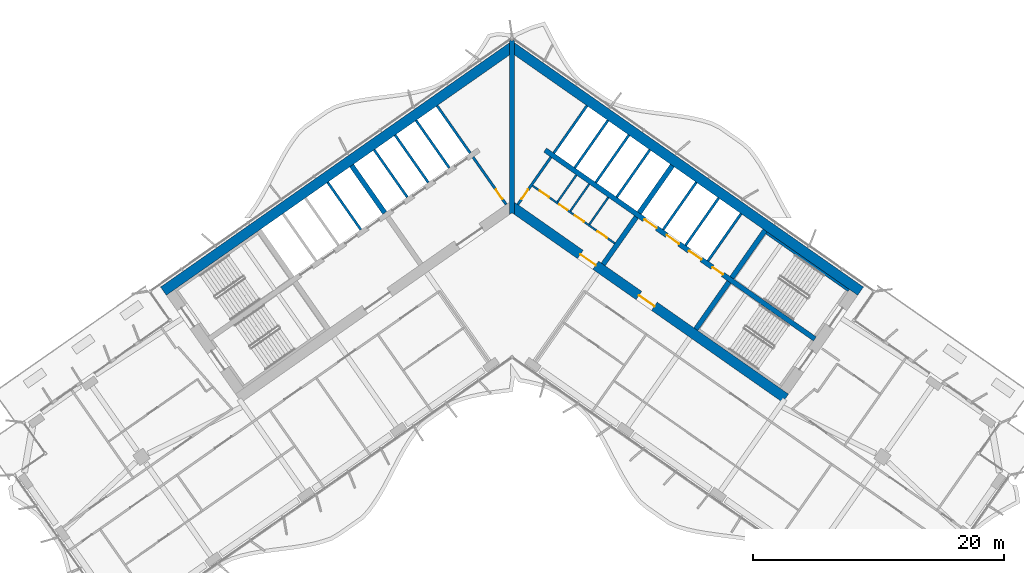
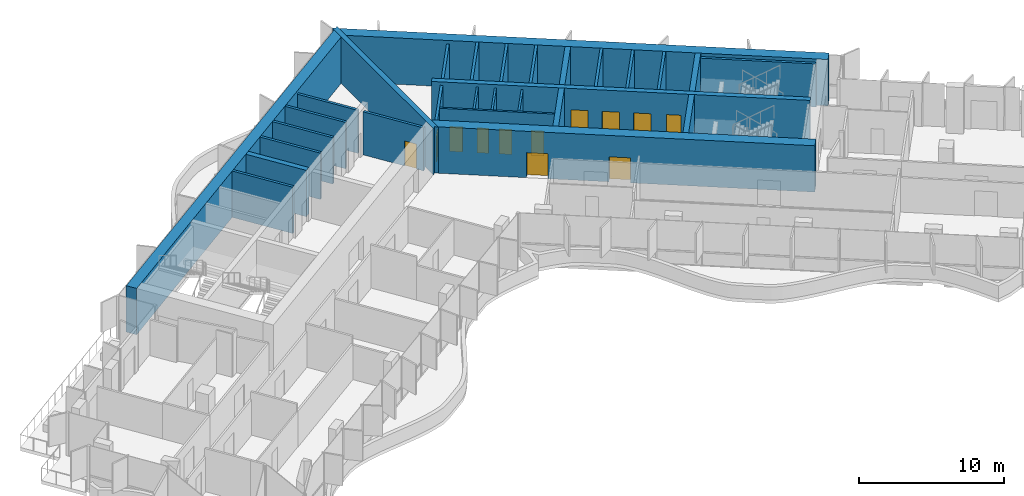
# One storey, part 15 of 24: 29 walls, 12 doors, 12 openings.
"""IFC4 building model written with IfcOpenShell, lengths in metres."""

from ifc_helpers import new_model, si_unit, direction, frame, frame_2d, origin, place, context, subcontext, project, spatial, polyline, rectangle, outline, extrude, material, layer, layer_set, type_object, element, fill, save


model = new_model("IFC4")

# Units and contexts
model_context = context("Model", 3, precision=1e-05, world=origin(), true_north=direction((0.0, 1.0)))
body_context = subcontext(model_context, "Body", "Model", "MODEL_VIEW")
ifc_project = project(units=[si_unit("LENGTHUNIT", "METRE"), si_unit("AREAUNIT", "SQUARE_METRE"), si_unit("VOLUMEUNIT", "CUBIC_METRE"), si_unit("PLANEANGLEUNIT", "RADIAN"), si_unit("MASSUNIT", "GRAM", prefix="KILO")], contexts=[model_context])

# Site, building, storey
site_placement = place(None, origin())
site = spatial("IfcSite", under=ifc_project, at=site_placement, CompositionType="ELEMENT")
building_placement = place(site_placement, origin())
building = spatial("IfcBuilding", under=site, at=building_placement, Name="Tel Ilan Convention Tower", CompositionType="ELEMENT")
storey_placement = place(building_placement, frame((0.0, 0.0, 132.0)))
storey = spatial("IfcBuildingStorey", under=building, at=storey_placement, Name="L29", CompositionType="ELEMENT", Elevation=132.0)

# Wall, openings, doors
ifc_material_1 = material(Name="Gypsum Plasterboard on Steel Stud", Category="steel")
ifc_layer_1 = layer(ifc_material_1, 0.14990234375)
ifc_layer_set_1 = layer_set([ifc_layer_1], Name="Core Room Partition Wall 150 mm EI 60")
wall_type_1 = type_object("IfcWallType", Name="Core Room Partition Wall 150 mm EI 60", PredefinedType="PARTITIONING", material=ifc_layer_set_1)
wall_1_placement = place(storey_placement, frame((1.63037109375, 0.93359375, 0.0), z_axis=(0.0, 0.0, 1.0), x_axis=(0.819165963305, -0.573556557423, 0.0)))
wall_1 = element("IfcWall", 1, at=wall_1_placement, inside=storey, type_object=wall_type_1, Name="L29 core wall wc-h1", PredefinedType="PARTITIONING", context=body_context, shape_type="SweptSolid", body=[
    extrude(rectangle(XDim=7.999755859375, YDim=0.14990234375, at=frame_2d((4.0, 0.0))), origin(), (0.0, 0.0, 1.0), 3.6201171875),
])
opening_1_placement = place(wall_1_placement, frame((0.699951171875, 0.0, 0.0)))
opening_1 = element("IfcOpeningElement", 2, at=opening_1_placement, cuts=wall_1, Name="Opening CD2310", PredefinedType="OPENING", context=body_context, shape_type="SweptSolid", body=[
    extrude(rectangle(XDim=0.89990234375, YDim=2.10009765625, at=frame_2d((0.449951171875, 1.050048828125))), frame((0.0, 0.0849609375, 0.0), z_axis=(0.0, -1.0, 0.0), x_axis=(1.0, 0.0, 0.0)), (0.0, 0.0, 1.0), 0.169921875),
])
opening_2_placement = place(wall_1_placement, frame((2.60009765625, 0.0, 0.0)))
opening_2 = element("IfcOpeningElement", 3, at=opening_2_placement, cuts=wall_1, Name="Opening CD2309", PredefinedType="OPENING", context=body_context, shape_type="SweptSolid", body=[
    extrude(rectangle(XDim=0.800048828125, YDim=2.10009765625, at=frame_2d((0.39990234375, 1.050048828125))), frame((0.0, 0.0849609375, 0.0), z_axis=(0.0, -1.0, 0.0), x_axis=(1.0, 0.0, 0.0)), (0.0, 0.0, 1.0), 0.169921875),
])
opening_3_placement = place(wall_1_placement, frame((4.10009765625, 0.0, 0.0)))
opening_3 = element("IfcOpeningElement", 4, at=opening_3_placement, cuts=wall_1, Name="Opening CD2308", PredefinedType="OPENING", context=body_context, shape_type="SweptSolid", body=[
    extrude(rectangle(XDim=0.89990234375, YDim=2.10009765625, at=frame_2d((0.449951171875, 1.050048828125))), frame((0.0, 0.0849609375, 0.0), z_axis=(0.0, -1.0, 0.0), x_axis=(1.0, 0.0, 0.0)), (0.0, 0.0, 1.0), 0.169921875),
])
opening_4_placement = place(wall_1_placement, frame((6.324951171875, 0.0, 0.0)))
opening_4 = element("IfcOpeningElement", 5, at=opening_4_placement, cuts=wall_1, Name="Opening CD2311", PredefinedType="OPENING", context=body_context, shape_type="SweptSolid", body=[
    extrude(rectangle(XDim=0.89990234375, YDim=2.10009765625, at=frame_2d((0.449951171875, 1.050048828125))), frame((0.0, 0.0849609375, 0.0), z_axis=(0.0, -1.0, 0.0), x_axis=(1.0, 0.0, 0.0)), (0.0, 0.0, 1.0), 0.169921875),
])
ifc_material_2 = material(Name="Galvanised Steel Door Leaf", Category="steel")
door_type_1 = type_object("IfcDoorType", Name="Store Door 800 x 2100 FD60", OperationType="NOTDEFINED", PredefinedType="DOOR", material=ifc_material_2)
door_1_placement = place(opening_2_placement, origin())
door_1 = element("IfcDoor", 6, at=door_1_placement, inside=storey, type_object=door_type_1, Name="Cleaner's store door", OperationType="SINGLE_SWING_RIGHT", OverallHeight=2.10009765625, OverallWidth=0.800048828125, PredefinedType="DOOR", context=body_context, shape_type="SweptSolid", body=[
    extrude(rectangle(XDim=0.800048828125, YDim=2.10009765625, at=frame_2d((0.39990234375, 1.050048828125))), frame((0.0, 0.02490234375, 0.0), z_axis=(0.0, -1.0, 0.0), x_axis=(1.0, 0.0, 0.0)), (0.0, 0.0, 1.0), 0.050048828125),
])
fill(opening_2, door_1)
ifc_material_3 = material(Name="Laminated Timber Door Leaf", Category="wood")
door_type_2 = type_object("IfcDoorType", Name="Toilet Door 900 x 2100 FD30S", OperationType="NOTDEFINED", PredefinedType="DOOR", material=ifc_material_3)
door_2_placement = place(opening_1_placement, origin())
door_2 = element("IfcDoor", 7, at=door_2_placement, inside=storey, type_object=door_type_2, Name="Men's WC door", OperationType="SINGLE_SWING_RIGHT", OverallHeight=2.10009765625, OverallWidth=0.89990234375, PredefinedType="DOOR", context=body_context, shape_type="SweptSolid", body=[
    extrude(rectangle(XDim=0.89990234375, YDim=2.10009765625, at=frame_2d((0.449951171875, 1.050048828125))), frame((0.0, 0.02490234375, 0.0), z_axis=(0.0, -1.0, 0.0), x_axis=(1.0, 0.0, 0.0)), (0.0, 0.0, 1.0), 0.050048828125),
])
fill(opening_1, door_2)
door_3_placement = place(opening_3_placement, origin())
door_3 = element("IfcDoor", 8, at=door_3_placement, inside=storey, type_object=door_type_2, Name="Accessible WC door", OperationType="SINGLE_SWING_RIGHT", OverallHeight=2.10009765625, OverallWidth=0.89990234375, PredefinedType="DOOR", context=body_context, shape_type="SweptSolid", body=[
    extrude(rectangle(XDim=0.89990234375, YDim=2.10009765625, at=frame_2d((0.449951171875, 1.050048828125))), frame((0.0, 0.02490234375, 0.0), z_axis=(0.0, -1.0, 0.0), x_axis=(1.0, 0.0, 0.0)), (0.0, 0.0, 1.0), 0.050048828125),
])
fill(opening_3, door_3)
door_4_placement = place(opening_4_placement, origin())
door_4 = element("IfcDoor", 9, at=door_4_placement, inside=storey, type_object=door_type_2, Name="Women's WC door", OperationType="SINGLE_SWING_RIGHT", OverallHeight=2.10009765625, OverallWidth=0.89990234375, PredefinedType="DOOR", context=body_context, shape_type="SweptSolid", body=[
    extrude(rectangle(XDim=0.89990234375, YDim=2.10009765625, at=frame_2d((0.449951171875, 1.050048828125))), frame((0.0, 0.02490234375, 0.0), z_axis=(0.0, -1.0, 0.0), x_axis=(1.0, 0.0, 0.0)), (0.0, 0.0, 1.0), 0.050048828125),
])
fill(opening_4, door_4)

# Walls
for number, where, z_axis, x_axis, name in (
    (10, (3.618896484375, -0.3671875, 0.0), (0.0, 0.0, 1.0), (0.573549726504, 0.819170746076, 0.0), "L29 core wall wc-v0"),
    (11, (4.642822265625, -1.083984375, 0.0), (0.0, 0.0, 1.0), (0.573593425114, 0.819140148367, 0.0), "L29 core wall wc-v1"),
    (12, (6.158203125, -2.145263671875, 0.0), (0.0, 0.0, 1.0), (0.573549726504, 0.819170746076, 0.0), "L29 core wall wc-v2"),
):
    element("IfcWall", number, at=place(storey_placement, frame(where, z_axis=z_axis, x_axis=x_axis)), inside=storey, type_object=wall_type_1, Name=name, PredefinedType="PARTITIONING", context=body_context, shape_type="SweptSolid", body=[
        extrude(rectangle(XDim=2.625, YDim=0.14990234375, at=frame_2d((1.3125, 0.0))), origin(), (0.0, 0.0, 1.0), 3.6201171875),
    ])

# Wall, opening, door
ifc_material_4 = material(Name="Concrete C30/37", Category="concrete")
ifc_layer_2 = layer(ifc_material_4, 0.199951171875)
ifc_layer_set_2 = layer_set([ifc_layer_2], Name="Core Service Room Wall 200 mm C30/37")
wall_type_2 = type_object("IfcWallType", Name="Core Service Room Wall 200 mm C30/37", PredefinedType="SOLIDWALL", material=ifc_layer_set_2)
wall_2_placement = place(storey_placement, frame((-0.458740234375, -0.565185546875, 0.0), z_axis=(0.0, 0.0, 1.0), x_axis=(-0.573576324356, 0.819152122709, 0.0)))
wall_2 = element("IfcWall", 13, at=wall_2_placement, inside=storey, type_object=wall_type_2, Name="L29 core wall apex-W", PredefinedType="SOLIDWALL", context=body_context, shape_type="SweptSolid", body=[
    extrude(rectangle(XDim=4.599853515625, YDim=0.199951171875, at=frame_2d((2.2998046875, 0.0))), origin(), (0.0, 0.0, 1.0), 3.6201171875),
])
opening_5_placement = place(wall_2_placement, frame((0.550048828125, 0.0, 0.0)))
opening_5 = element("IfcOpeningElement", 14, at=opening_5_placement, cuts=wall_2, Name="Opening CD2302", PredefinedType="OPENING", context=body_context, shape_type="SweptSolid", body=[
    extrude(rectangle(XDim=0.89990234375, YDim=2.10009765625, at=frame_2d((0.449951171875, 1.050048828125))), frame((0.0, 0.10986328125, 0.0), z_axis=(0.0, -1.0, 0.0), x_axis=(1.0, 0.0, 0.0)), (0.0, 0.0, 1.0), 0.219970703125),
])
ifc_material_5 = material(Name="Galvanised Steel Door Leaf", Category="steel")
door_type_3 = type_object("IfcDoorType", Name="Service Room Door 900 x 2100 FD60", OperationType="NOTDEFINED", PredefinedType="DOOR", material=ifc_material_5)
door_5_placement = place(opening_5_placement, origin())
door_5 = element("IfcDoor", 15, at=door_5_placement, inside=storey, type_object=door_type_3, Name="Riser Room door", OperationType="SINGLE_SWING_RIGHT", OverallHeight=2.10009765625, OverallWidth=0.89990234375, PredefinedType="DOOR", context=body_context, shape_type="SweptSolid", body=[
    extrude(rectangle(XDim=0.89990234375, YDim=2.10009765625, at=frame_2d((0.449951171875, 1.050048828125))), frame((0.0, 0.02490234375, 0.0), z_axis=(0.0, -1.0, 0.0), x_axis=(1.0, 0.0, 0.0)), (0.0, 0.0, 1.0), 0.050048828125),
])
fill(opening_5, door_5)

# Wall
wall_3_placement = place(storey_placement, frame((-3.32666015625, 3.530517578125, 0.0), z_axis=(0.0, 0.0, 1.0), x_axis=(-0.573576324356, 0.819152122709, 0.0)))
element("IfcWall", 16, at=wall_3_placement, inside=storey, type_object=wall_type_2, Name="L29 core wall apex-W-b", PredefinedType="SOLIDWALL", context=body_context, shape_type="SweptSolid", body=[
    extrude(rectangle(XDim=4.599853515625, YDim=0.199951171875, at=frame_2d((2.2998046875, 0.0))), origin(), (0.0, 0.0, 1.0), 3.6201171875),
])

# Wall, opening, door
wall_4_placement = place(storey_placement, frame((0.458740234375, -0.565185546875, 0.0), z_axis=(0.0, 0.0, 1.0), x_axis=(0.573576324356, 0.819152122709, 0.0)))
wall_4 = element("IfcWall", 17, at=wall_4_placement, inside=storey, type_object=wall_type_2, Name="L29 core wall apex-E", PredefinedType="SOLIDWALL", context=body_context, shape_type="SweptSolid", body=[
    extrude(rectangle(XDim=4.599853515625, YDim=0.199951171875, at=frame_2d((2.2998046875, 0.0))), origin(), (0.0, 0.0, 1.0), 3.6201171875),
])
opening_6_placement = place(wall_4_placement, frame((0.550048828125, 0.0, 0.0)))
opening_6 = element("IfcOpeningElement", 18, at=opening_6_placement, cuts=wall_4, Name="Opening CD2301", PredefinedType="OPENING", context=body_context, shape_type="SweptSolid", body=[
    extrude(rectangle(XDim=0.89990234375, YDim=2.10009765625, at=frame_2d((0.449951171875, 1.050048828125))), frame((0.0, 0.10986328125, 0.0), z_axis=(0.0, -1.0, 0.0), x_axis=(1.0, 0.0, 0.0)), (0.0, 0.0, 1.0), 0.219970703125),
])
door_6_placement = place(opening_6_placement, origin())
door_6 = element("IfcDoor", 19, at=door_6_placement, inside=storey, type_object=door_type_3, Name="Electrical Room door", OperationType="SINGLE_SWING_RIGHT", OverallHeight=2.10009765625, OverallWidth=0.89990234375, PredefinedType="DOOR", context=body_context, shape_type="SweptSolid", body=[
    extrude(rectangle(XDim=0.89990234375, YDim=2.10009765625, at=frame_2d((0.449951171875, 1.050048828125))), frame((0.0, 0.02490234375, 0.0), z_axis=(0.0, -1.0, 0.0), x_axis=(1.0, 0.0, 0.0)), (0.0, 0.0, 1.0), 0.050048828125),
])
fill(opening_6, door_6)

# Walls
wall_5_placement = place(storey_placement, frame((3.32666015625, 3.530517578125, 0.0), z_axis=(0.0, 0.0, 1.0), x_axis=(0.573576324356, 0.819152122709, 0.0)))
element("IfcWall", 20, at=wall_5_placement, inside=storey, type_object=wall_type_2, Name="L29 core wall apex-E-b", PredefinedType="SOLIDWALL", context=body_context, shape_type="SweptSolid", body=[
    extrude(rectangle(XDim=4.599853515625, YDim=0.199951171875, at=frame_2d((2.2998046875, 0.0))), origin(), (0.0, 0.0, 1.0), 3.6201171875),
])
ifc_material_6 = material(Name="Concrete C50/60", Category="concrete")
ifc_layer_3 = layer(ifc_material_6, 0.39990234375)
ifc_layer_set_3 = layer_set([ifc_layer_3], Name="Core Shear Wall 400 mm C50/60")
wall_type_3 = type_object("IfcWallType", Name="Core Shear Wall 400 mm C50/60", PredefinedType="SHEAR", material=ifc_layer_set_3)
wall_6_placement = place(storey_placement, frame((-10.12548828125, -1.230224609375, 0.0), z_axis=(0.0, 0.0, 1.0), x_axis=(-0.573576324356, 0.819152122709, 0.0)))
element("IfcWall", 21, at=wall_6_placement, inside=storey, type_object=wall_type_3, Name="L29 core wall W-cross1-2", PredefinedType="SHEAR", context=body_context, shape_type="SweptSolid", body=[
    extrude(outline(polyline([(4.60009765625, -0.199951171875), (4.599853515625, 0.199951171875), (0.0, 0.2001953125), (0.0, -0.199951171875), (4.60009765625, -0.199951171875)])), origin(), (0.0, 0.0, 1.0), 3.89990234375),
])
wall_7_placement = place(storey_placement, frame((7.2578125, -5.325927734375, 0.0), z_axis=(0.0, 0.0, 1.0), x_axis=(0.573540709186, 0.819177059558, 0.0)))
element("IfcWall", 22, at=wall_7_placement, inside=storey, type_object=wall_type_3, Name="L29 core wall E-cross1-1", PredefinedType="SHEAR", context=body_context, shape_type="SweptSolid", body=[
    extrude(outline(polyline([(-0.000244140625, 0.2001953125), (-0.000244140625, -0.199951171875), (4.599853515625, -0.2001953125), (4.599853515625, 0.199951171875), (-0.000244140625, 0.2001953125)])), origin(), (0.0, 0.0, 1.0), 3.89990234375),
])
wall_8_placement = place(storey_placement, frame((10.12548828125, -1.230224609375, 0.0), z_axis=(0.0, 0.0, 1.0), x_axis=(0.573576324356, 0.819152122709, 0.0)))
element("IfcWall", 23, at=wall_8_placement, inside=storey, type_object=wall_type_3, Name="L29 core wall E-cross1-2", PredefinedType="SHEAR", context=body_context, shape_type="SweptSolid", body=[
    extrude(outline(polyline([(4.599853515625, -0.199951171875), (4.60009765625, 0.199951171875), (0.0, 0.199951171875), (0.0, -0.2001953125), (4.599853515625, -0.199951171875)])), origin(), (0.0, 0.0, 1.0), 3.89990234375),
])
wall_9_placement = place(storey_placement, frame((14.6298828125, -10.48828125, 0.0), z_axis=(0.0, 0.0, 1.0), x_axis=(0.573611936273, 0.819127185829, 0.0)))
element("IfcWall", 24, at=wall_9_placement, inside=storey, type_object=wall_type_3, Name="L29 core wall E-cross2-1", PredefinedType="SHEAR", context=body_context, shape_type="SweptSolid", body=[
    extrude(outline(polyline([(0.000244140625, 0.199951171875), (0.000244140625, -0.2001953125), (4.60009765625, -0.199951171875), (4.60009765625, 0.2001953125), (0.000244140625, 0.199951171875)])), origin(), (0.0, 0.0, 1.0), 3.89990234375),
])
wall_10_placement = place(storey_placement, frame((17.497802734375, -6.392333984375, 0.0), z_axis=(0.0, 0.0, 1.0), x_axis=(0.573611936273, 0.819127185829, 0.0)))
element("IfcWall", 25, at=wall_10_placement, inside=storey, type_object=wall_type_3, Name="L29 core wall E-cross2-2", PredefinedType="SHEAR", context=body_context, shape_type="SweptSolid", body=[
    extrude(outline(polyline([(4.599853515625, -0.199951171875), (4.599853515625, 0.2001953125), (0.0, 0.199951171875), (0.0, -0.2001953125), (4.599853515625, -0.199951171875)])), origin(), (0.0, 0.0, 1.0), 3.89990234375),
])

# Wall, openings, doors
wall_11_placement = place(storey_placement, frame((2.638427734375, 3.76806640625, 0.0), z_axis=(0.0, 0.0, 1.0), x_axis=(0.81915267502, -0.573575535572, 0.0)))
wall_11 = element("IfcWall", 26, at=wall_11_placement, inside=storey, type_object=wall_type_3, Name="L29 core wall E-spine", PredefinedType="SHEAR", context=body_context, shape_type="SweptSolid", body=[
    extrude(outline(polyline([(0.0, 0.199951171875), (0.0, -0.199951171875), (26.199951171875, -0.199951171875), (26.199951171875, 0.199951171875), (0.0, 0.199951171875)])), origin(), (0.0, 0.0, 1.0), 3.89990234375),
])
opening_7_placement = place(wall_11_placement, frame((9.637451171875, 0.0, 0.0)))
opening_7 = element("IfcOpeningElement", 27, at=opening_7_placement, cuts=wall_11, Name="Opening LD2301", PredefinedType="OPENING", context=body_context, shape_type="SweptSolid", body=[
    extrude(rectangle(XDim=1.199951171875, YDim=2.10009765625, at=frame_2d((0.60009765625, 1.050048828125))), frame((0.0, 0.2099609375, 0.0), z_axis=(0.0, -1.0, 0.0), x_axis=(1.0, 0.0, 0.0)), (0.0, 0.0, 1.0), 0.419921875),
])
opening_8_placement = place(wall_11_placement, frame((11.8125, 0.0, 0.0)))
opening_8 = element("IfcOpeningElement", 28, at=opening_8_placement, cuts=wall_11, Name="Opening LD2302", PredefinedType="OPENING", context=body_context, shape_type="SweptSolid", body=[
    extrude(rectangle(XDim=1.199951171875, YDim=2.10009765625, at=frame_2d((0.60009765625, 1.050048828125))), frame((0.0, 0.2099609375, 0.0), z_axis=(0.0, -1.0, 0.0), x_axis=(1.0, 0.0, 0.0)), (0.0, 0.0, 1.0), 0.419921875),
])
opening_9_placement = place(wall_11_placement, frame((13.987548828125, 0.0, 0.0)))
opening_9 = element("IfcOpeningElement", 29, at=opening_9_placement, cuts=wall_11, Name="Opening LD2303", PredefinedType="OPENING", context=body_context, shape_type="SweptSolid", body=[
    extrude(rectangle(XDim=1.199951171875, YDim=2.10009765625, at=frame_2d((0.60009765625, 1.050048828125))), frame((0.0, 0.2099609375, 0.0), z_axis=(0.0, -1.0, 0.0), x_axis=(1.0, 0.0, 0.0)), (0.0, 0.0, 1.0), 0.419921875),
])
opening_10_placement = place(wall_11_placement, frame((16.262451171875, 0.0, 0.0)))
opening_10 = element("IfcOpeningElement", 30, at=opening_10_placement, cuts=wall_11, Name="Opening CD2307", PredefinedType="OPENING", context=body_context, shape_type="SweptSolid", body=[
    extrude(rectangle(XDim=1.0, YDim=2.10009765625, at=frame_2d((0.5, 1.050048828125))), frame((0.0, 0.2099609375, 0.0), z_axis=(0.0, -1.0, 0.0), x_axis=(1.0, 0.0, 0.0)), (0.0, 0.0, 1.0), 0.419921875),
])
ifc_material_7 = material(Name="Stainless Steel Sliding Door Leaf", Category="steel")
door_type_4 = type_object("IfcDoorType", Name="Lift Landing Door 1200 x 2100 FD120", OperationType="NOTDEFINED", PredefinedType="DOOR", material=ifc_material_7)
door_7_placement = place(opening_7_placement, origin())
door_7 = element("IfcDoor", 31, at=door_7_placement, inside=storey, type_object=door_type_4, Name="Lift FL1 landing door", OperationType="SLIDING_TO_LEFT", OverallHeight=2.10009765625, OverallWidth=1.199951171875, PredefinedType="DOOR", context=body_context, shape_type="SweptSolid", body=[
    extrude(rectangle(XDim=1.199951171875, YDim=2.10009765625, at=frame_2d((0.60009765625, 1.050048828125))), frame((0.0, 0.02490234375, 0.0), z_axis=(0.0, -1.0, 0.0), x_axis=(1.0, 0.0, 0.0)), (0.0, 0.0, 1.0), 0.050048828125),
])
fill(opening_7, door_7)
door_8_placement = place(opening_8_placement, origin())
door_8 = element("IfcDoor", 32, at=door_8_placement, inside=storey, type_object=door_type_4, Name="Lift FL2 landing door", OperationType="SLIDING_TO_RIGHT", OverallHeight=2.10009765625, OverallWidth=1.199951171875, PredefinedType="DOOR", context=body_context, shape_type="SweptSolid", body=[
    extrude(rectangle(XDim=1.199951171875, YDim=2.10009765625, at=frame_2d((0.60009765625, 1.050048828125))), frame((0.0, 0.02490234375, 0.0), z_axis=(0.0, -1.0, 0.0), x_axis=(1.0, 0.0, 0.0)), (0.0, 0.0, 1.0), 0.050048828125),
])
fill(opening_8, door_8)
door_9_placement = place(opening_9_placement, origin())
door_9 = element("IfcDoor", 33, at=door_9_placement, inside=storey, type_object=door_type_4, Name="Lift FL3 landing door", OperationType="SLIDING_TO_LEFT", OverallHeight=2.10009765625, OverallWidth=1.199951171875, PredefinedType="DOOR", context=body_context, shape_type="SweptSolid", body=[
    extrude(rectangle(XDim=1.199951171875, YDim=2.10009765625, at=frame_2d((0.60009765625, 1.050048828125))), frame((0.0, 0.02490234375, 0.0), z_axis=(0.0, -1.0, 0.0), x_axis=(1.0, 0.0, 0.0)), (0.0, 0.0, 1.0), 0.050048828125),
])
fill(opening_9, door_9)
ifc_material_8 = material(Name="Galvanised Steel Door Leaf", Category="steel")
door_type_5 = type_object("IfcDoorType", Name="Service Room Door 1000 x 2100 FD60", OperationType="NOTDEFINED", PredefinedType="DOOR", material=ifc_material_8)
door_10_placement = place(opening_10_placement, origin())
door_10 = element("IfcDoor", 34, at=door_10_placement, inside=storey, type_object=door_type_5, Name="Plant Room door", OperationType="SINGLE_SWING_RIGHT", OverallHeight=2.10009765625, OverallWidth=1.0, PredefinedType="DOOR", context=body_context, shape_type="SweptSolid", body=[
    extrude(rectangle(XDim=1.0, YDim=2.10009765625, at=frame_2d((0.5, 1.050048828125))), frame((0.0, 0.02490234375, 0.0), z_axis=(0.0, -1.0, 0.0), x_axis=(1.0, 0.0, 0.0)), (0.0, 0.0, 1.0), 0.050048828125),
])
fill(opening_10, door_10)

# Walls
wall_12_placement = place(storey_placement, frame((0.0, -1.36083984375, 0.0), z_axis=(0.0, 0.0, 1.0), x_axis=(0.0, 1.0, 0.0)))
element("IfcWall", 35, at=wall_12_placement, inside=storey, type_object=wall_type_3, Name="L29 core wall K-central", PredefinedType="SHEAR", context=body_context, shape_type="SweptSolid", body=[
    extrude(outline(polyline([(0.0, -0.199951171875), (0.14013671875, -0.199951171875), (1.0751953125, -0.199951171875), (12.696044921875, -0.199951171875), (13.812744140625, -0.199951171875), (13.893310546875, -0.199951171875), (13.933349609375, -0.172119140625), (13.812744140625, 0.0), (13.933349609375, 0.172119140625), (13.893310546875, 0.199951171875), (13.812744140625, 0.199951171875), (12.696044921875, 0.199951171875), (1.0751953125, 0.199951171875), (0.14013671875, 0.199951171875), (0.0, 0.199951171875), (0.14013671875, 0.0), (0.0, -0.199951171875)])), origin(), (0.0, 0.0, 1.0), 3.89990234375),
])
ifc_material_9 = material(Name="Concrete C50/60", Category="concrete")
ifc_layer_4 = layer(ifc_material_9, 0.800048828125)
ifc_layer_set_4 = layer_set([ifc_layer_4], Name="Core Shear Wall 800 mm C50/60")
wall_type_4 = type_object("IfcWallType", Name="Core Shear Wall 800 mm C50/60", PredefinedType="SHEAR", material=ifc_layer_set_4)
wall_13_placement = place(storey_placement, frame((0.029296875, 11.984130859375, 0.0), z_axis=(0.0, 0.0, 1.0), x_axis=(-0.819151382952, -0.573577380837, 0.0)))
element("IfcWall", 36, at=wall_13_placement, inside=storey, type_object=wall_type_4, Name="L29 core wall W-back", PredefinedType="SHEAR", context=body_context, shape_type="SweptSolid", body=[
    extrude(outline(polyline([(33.897705078125, 0.39990234375), (0.56005859375, 0.400146484375), (-0.000244140625, -0.39990234375), (33.897705078125, -0.400146484375), (33.897705078125, 0.39990234375)])), origin(), (0.0, 0.0, 1.0), 3.89990234375),
])
wall_14_placement = place(storey_placement, frame((-0.029296875, 11.984130859375, 0.0), z_axis=(0.0, 0.0, 1.0), x_axis=(0.819151382952, -0.573577380837, 0.0)))
element("IfcWall", 37, at=wall_14_placement, inside=storey, type_object=wall_type_4, Name="L29 core wall E-back", PredefinedType="SHEAR", context=body_context, shape_type="SweptSolid", body=[
    extrude(outline(polyline([(33.897705078125, 0.400146484375), (-0.000244140625, 0.39990234375), (0.56005859375, -0.400146484375), (33.897705078125, -0.39990234375), (33.897705078125, 0.400146484375)])), origin(), (0.0, 0.0, 1.0), 3.89990234375),
])

# Wall, openings, doors
wall_15_placement = place(storey_placement, frame((-0.029296875, -0.7119140625, 0.0), z_axis=(0.0, 0.0, 1.0), x_axis=(0.819151758019, -0.573576845187, 0.0)))
wall_15 = element("IfcWall", 38, at=wall_15_placement, inside=storey, type_object=wall_type_4, Name="L29 core wall E-front", PredefinedType="SHEAR", context=body_context, shape_type="SweptSolid", body=[
    extrude(outline(polyline([(26.61572265625, 0.39990234375), (-0.000244140625, 0.39990234375), (0.56005859375, -0.39990234375), (26.61572265625, -0.39990234375), (26.61572265625, 0.39990234375)])), origin(), (0.0, 0.0, 1.0), 3.89990234375),
])
opening_11_placement = place(wall_15_placement, frame((6.665771484375, 0.0, 0.0)))
opening_11 = element("IfcOpeningElement", 39, at=opening_11_placement, cuts=wall_15, Name="Opening CD2303", PredefinedType="OPENING", context=body_context, shape_type="SweptSolid", body=[
    extrude(rectangle(XDim=1.5, YDim=2.10009765625, at=frame_2d((0.75, 1.050048828125))), frame((0.0, 0.409912109375, 0.0), z_axis=(0.0, -1.0, 0.0), x_axis=(1.0, 0.0, 0.0)), (0.0, 0.0, 1.0), 0.820068359375),
])
opening_12_placement = place(wall_15_placement, frame((12.36572265625, 0.0, 0.0)))
opening_12 = element("IfcOpeningElement", 40, at=opening_12_placement, cuts=wall_15, Name="Opening CD2304", PredefinedType="OPENING", context=body_context, shape_type="SweptSolid", body=[
    extrude(rectangle(XDim=1.5, YDim=2.10009765625, at=frame_2d((0.75, 1.050048828125))), frame((0.0, 0.409912109375, 0.0), z_axis=(0.0, -1.0, 0.0), x_axis=(1.0, 0.0, 0.0)), (0.0, 0.0, 1.0), 0.820068359375),
])
ifc_material_10 = material(Name="Glazed Aluminium Door Leaf", Category="aluminium")
door_type_6 = type_object("IfcDoorType", Name="Lobby Opening Door 1500 x 2100 FD60S", OperationType="NOTDEFINED", PredefinedType="DOOR", material=ifc_material_10)
door_11_placement = place(opening_12_placement, origin())
door_11 = element("IfcDoor", 41, at=door_11_placement, inside=storey, type_object=door_type_6, Name="Firefighting Lobby door", OperationType="DOUBLE_DOOR_SINGLE_SWING", OverallHeight=2.10009765625, OverallWidth=1.5, PredefinedType="DOOR", context=body_context, shape_type="SweptSolid", body=[
    extrude(rectangle(XDim=1.5, YDim=2.10009765625, at=frame_2d((0.75, 1.050048828125))), frame((0.0, 0.02490234375, 0.0), z_axis=(0.0, -1.0, 0.0), x_axis=(1.0, 0.0, 0.0)), (0.0, 0.0, 1.0), 0.050048828125),
])
fill(opening_12, door_11)
ifc_material_11 = material(Name="Laminated Timber Door Leaf", Category="wood")
door_type_7 = type_object("IfcDoorType", Name="Toilet Door 1500 x 2100 FD30S", OperationType="NOTDEFINED", PredefinedType="DOOR", material=ifc_material_11)
door_12_placement = place(opening_11_placement, origin())
door_12 = element("IfcDoor", 42, at=door_12_placement, inside=storey, type_object=door_type_7, Name="WC Lobby door", OperationType="SINGLE_SWING_RIGHT", OverallHeight=2.10009765625, OverallWidth=1.5, PredefinedType="DOOR", context=body_context, shape_type="SweptSolid", body=[
    extrude(rectangle(XDim=1.5, YDim=2.10009765625, at=frame_2d((0.75, 1.050048828125))), frame((0.0, 0.02490234375, 0.0), z_axis=(0.0, -1.0, 0.0), x_axis=(1.0, 0.0, 0.0)), (0.0, 0.0, 1.0), 0.050048828125),
])
fill(opening_11, door_12)

# Walls
ifc_material_12 = material(Name="Concrete C30/37", Category="concrete")
ifc_layer_5 = layer(ifc_material_12, 0.199951171875)
ifc_layer_set_5 = layer_set([ifc_layer_5], Name="Lift Shaft Wall 200 mm C30/37")
wall_type_5 = type_object("IfcWallType", Name="Lift Shaft Wall 200 mm C30/37", PredefinedType="SOLIDWALL", material=ifc_layer_set_5)
for number, where, z_axis, x_axis, name in (
    (43, (-4.99560546875, 2.36181640625, 0.0), (0.0, 0.0, 1.0), (-0.573576324356, 0.819152122709, 0.0), "L29 core wall bank-W1-p0"),
    (44, (-6.66455078125, 1.193115234375, 0.0), (0.0, 0.0, 1.0), (-0.573576324356, 0.819152122709, 0.0), "L29 core wall bank-W1-p1"),
):
    element("IfcWall", number, at=place(storey_placement, frame(where, z_axis=z_axis, x_axis=x_axis)), inside=storey, type_object=wall_type_5, Name=name, PredefinedType="SOLIDWALL", context=body_context, shape_type="SweptSolid", body=[
        extrude(rectangle(XDim=4.599853515625, YDim=0.199951171875, at=frame_2d((2.2998046875, 0.0))), origin(), (0.0, 0.0, 1.0), 3.89990234375),
    ])
wall_16_placement = place(storey_placement, frame((-8.33349609375, 0.0244140625, 0.0), z_axis=(0.0, 0.0, 1.0), x_axis=(-0.573611936273, 0.819127185829, 0.0)))
element("IfcWall", 45, at=wall_16_placement, inside=storey, type_object=wall_type_5, Name="L29 core wall bank-W1-p2", PredefinedType="SOLIDWALL", context=body_context, shape_type="SweptSolid", body=[
    extrude(rectangle(XDim=4.60009765625, YDim=0.199951171875, at=frame_2d((2.300048828125, 0.0))), origin(), (0.0, 0.0, 1.0), 3.89990234375),
])
for number, where, z_axis, x_axis, name in (
    (46, (-12.030029296875, -2.563720703125, 0.0), (0.0, 0.0, 1.0), (-0.573576324356, 0.819152122709, 0.0), "L29 core wall bank-W2-p0"),
    (47, (4.99560546875, 2.36181640625, 0.0), (0.0, 0.0, 1.0), (0.573576324356, 0.819152122709, 0.0), "L29 core wall bank-E1-p0"),
    (48, (6.66455078125, 1.193115234375, 0.0), (0.0, 0.0, 1.0), (0.573576324356, 0.819152122709, 0.0), "L29 core wall bank-E1-p1"),
):
    element("IfcWall", number, at=place(storey_placement, frame(where, z_axis=z_axis, x_axis=x_axis)), inside=storey, type_object=wall_type_5, Name=name, PredefinedType="SOLIDWALL", context=body_context, shape_type="SweptSolid", body=[
        extrude(rectangle(XDim=4.599853515625, YDim=0.199951171875, at=frame_2d((2.2998046875, 0.0))), origin(), (0.0, 0.0, 1.0), 3.89990234375),
    ])
wall_17_placement = place(storey_placement, frame((8.33349609375, 0.0244140625, 0.0), z_axis=(0.0, 0.0, 1.0), x_axis=(0.573611936273, 0.819127185829, 0.0)))
element("IfcWall", 49, at=wall_17_placement, inside=storey, type_object=wall_type_5, Name="L29 core wall bank-E1-p2", PredefinedType="SOLIDWALL", context=body_context, shape_type="SweptSolid", body=[
    extrude(rectangle(XDim=4.60009765625, YDim=0.199951171875, at=frame_2d((2.300048828125, 0.0))), origin(), (0.0, 0.0, 1.0), 3.89990234375),
])
for number, where, z_axis, x_axis, name in (
    (50, (12.030029296875, -2.563720703125, 0.0), (0.0, 0.0, 1.0), (0.573576324356, 0.819152122709, 0.0), "L29 core wall bank-E2-p0"),
    (51, (13.811767578125, -3.811279296875, 0.0), (0.0, 0.0, 1.0), (0.573576324356, 0.819152122709, 0.0), "L29 core wall bank-E2-p1"),
    (52, (15.593505859375, -5.058837890625, 0.0), (0.0, 0.0, 1.0), (0.573540709186, 0.819177059558, 0.0), "L29 core wall bank-E2-p2"),
):
    element("IfcWall", number, at=place(storey_placement, frame(where, z_axis=z_axis, x_axis=x_axis)), inside=storey, type_object=wall_type_5, Name=name, PredefinedType="SOLIDWALL", context=body_context, shape_type="SweptSolid", body=[
        extrude(rectangle(XDim=4.599853515625, YDim=0.199951171875, at=frame_2d((2.2998046875, 0.0))), origin(), (0.0, 0.0, 1.0), 3.89990234375),
    ])
ifc_material_13 = material(Name="Concrete C30/37", Category="concrete")
ifc_layer_6 = layer(ifc_material_13, 0.199951171875)
ifc_layer_set_6 = layer_set([ifc_layer_6], Name="Stair and Shaft Lining Wall 200 mm C30/37")
wall_type_6 = type_object("IfcWallType", Name="Stair and Shaft Lining Wall 200 mm C30/37", PredefinedType="SOLIDWALL", material=ifc_layer_set_6)
wall_18_placement = place(storey_placement, frame((20.242919921875, -2.821044921875, 0.0), z_axis=(0.0, 0.0, 1.0), x_axis=(0.819141584393, -0.57359137434, 0.0)))
element("IfcWall", 53, at=wall_18_placement, inside=storey, type_object=wall_type_6, Name="L29 core wall lining-S3-t1", PredefinedType="SOLIDWALL", context=body_context, shape_type="SweptSolid", body=[
    extrude(rectangle(XDim=7.999755859375, YDim=0.199951171875, at=frame_2d((4.0, 0.0))), origin(), (0.0, 0.0, 1.0), 3.6201171875),
])

save(model, "model.ifc")
